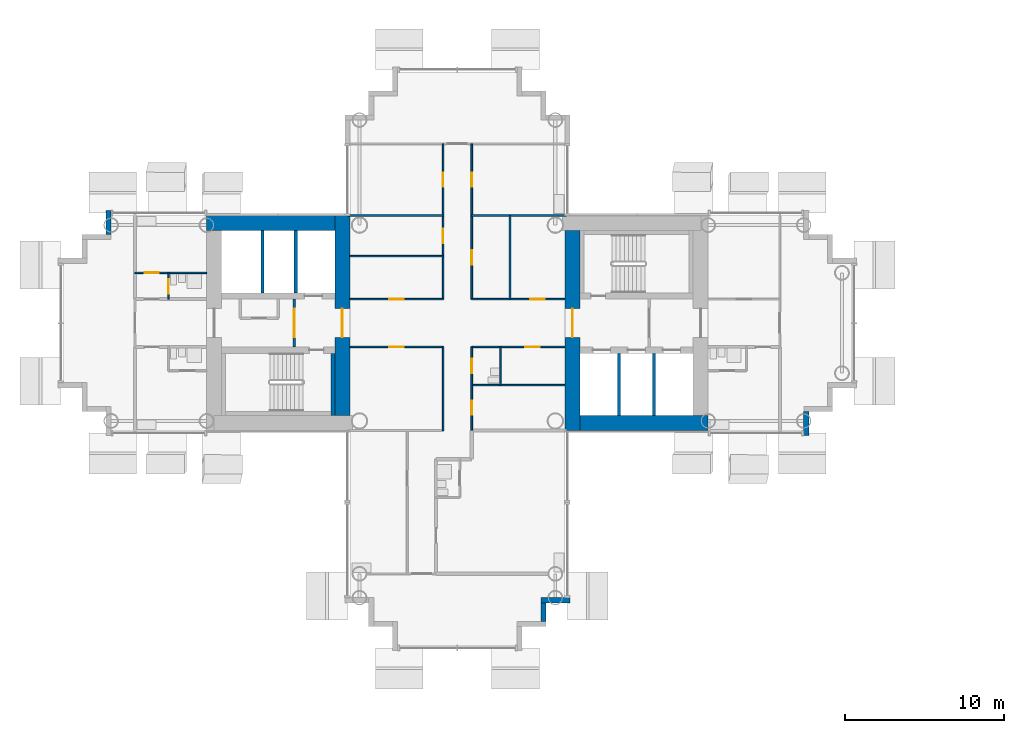
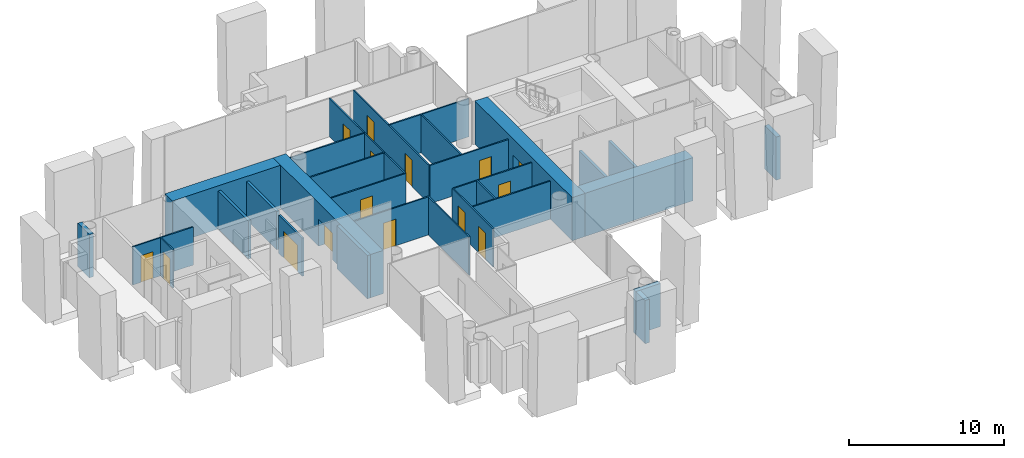
# One storey, part 9 of 20: 30 walls, 15 doors, 15 openings.
"""IFC4 building model written with IfcOpenShell, lengths in metres."""

import ifcopenshell
import ifcopenshell.guid

model = None  # the IFC model being written
_history = None  # IfcOwnerHistory: only IFC2X3 demands one
_inside = {}  # id of a spatial element -> (the spatial element, [elements in it])
_under = {}  # id of a project, library or spatial element -> (it, [spatial elements below it])
_declared = {}  # id of a project -> (the project, [libraries it declares])
_typed = {}  # id of a type object -> (the type object, [elements of that type])
_made_of = {}  # id of a material, layer set ... -> (it, [elements and type objects made of it])


def new_model(schema):
    """Start an empty IFC model of exactly this schema.

    Asked for "IFC4X3", IfcOpenShell would pick the latest addendum, in which some entities
    have other attributes; the version numbers below select the first issue.
    IFC2X3 requires an IfcOwnerHistory on every rooted entity: one is made here for all.
    """
    global model, _history
    if schema == "IFC4X3":
        model = ifcopenshell.file(schema_version=(4, 3, 0, 0))
    else:
        model = ifcopenshell.file(schema=schema)
    _inside.clear()
    _under.clear()
    _declared.clear()
    _typed.clear()
    _made_of.clear()
    _history = None
    if model.schema == "IFC2X3":
        org = make("IfcOrganization", Name="unknown")
        user = make(
            "IfcPersonAndOrganization",
            ThePerson=make("IfcPerson", FamilyName="unknown"),
            TheOrganization=org,
        )
        app = make(
            "IfcApplication",
            ApplicationDeveloper=org,
            Version="unknown",
            ApplicationFullName="unknown",
            ApplicationIdentifier="unknown",
        )
        _history = make(
            "IfcOwnerHistory",
            OwningUser=user,
            OwningApplication=app,
            ChangeAction="ADDED",
            CreationDate=0,
        )
    return model


def make(cls, **values):
    """One entity of the class cls with the attributes given. An attribute that is None is left unset."""
    return model.create_entity(
        cls, **{name: value for name, value in values.items() if value is not None}
    )


def rooted(cls, **values):
    """An entity with a GlobalId (a new one), such as an element, a storey or a relation."""
    return make(cls, GlobalId=ifcopenshell.guid.new(), OwnerHistory=_history, **values)


def si_unit(unit_type, name, prefix=None):
    """IfcSIUnit, for example si_unit("LENGTHUNIT", "METRE", prefix="MILLI")."""
    return make("IfcSIUnit", UnitType=unit_type, Prefix=prefix, Name=name)


def assignment(units):
    """IfcUnitAssignment: the units of a project."""
    return None if units is None else make("IfcUnitAssignment", Units=units)


def point(xyz):
    """IfcCartesianPoint."""
    return None if xyz is None else make("IfcCartesianPoint", Coordinates=xyz)


def direction(xyz):
    """IfcDirection."""
    return None if xyz is None else make("IfcDirection", DirectionRatios=xyz)


def frame(location, z_axis=None, x_axis=None):
    """IfcAxis2Placement3D, a coordinate frame: its origin and axes. An axis left out is left unset."""
    return make(
        "IfcAxis2Placement3D",
        Location=point(location),
        Axis=direction(z_axis),
        RefDirection=direction(x_axis),
    )


def frame_2d(location, x_axis=None):
    """IfcAxis2Placement2D, a coordinate frame in the plane: its origin and x axis."""
    return make(
        "IfcAxis2Placement2D", Location=point(location), RefDirection=direction(x_axis)
    )


def origin():
    """The frame at (0, 0, 0) with its axes left unset."""
    return frame((0.0, 0.0, 0.0))


def place(relative_to, where):
    """IfcLocalPlacement: puts the frame where relative to a parent placement (None: the world)."""
    return make(
        "IfcLocalPlacement", PlacementRelTo=relative_to, RelativePlacement=where
    )


def context(
    kind, dimensions, precision=None, world=None, true_north=None, identifier=None
):
    """IfcGeometricRepresentationContext, for example the 3D "Model" context."""
    return make(
        "IfcGeometricRepresentationContext",
        ContextIdentifier=identifier,
        ContextType=kind,
        CoordinateSpaceDimension=dimensions,
        Precision=precision,
        WorldCoordinateSystem=world,
        TrueNorth=true_north,
    )


def subcontext(parent, identifier, kind, view, scale=None):
    """IfcGeometricRepresentationSubContext, for example "Body" below "Model"."""
    return make(
        "IfcGeometricRepresentationSubContext",
        ContextIdentifier=identifier,
        ContextType=kind,
        ParentContext=parent,
        TargetScale=scale,
        TargetView=view,
    )


def project(units=None, contexts=None):
    """IfcProject with its units and contexts."""
    return rooted(
        "IfcProject",
        Name="project",
        RepresentationContexts=contexts,
        UnitsInContext=assignment(units),
    )


def spatial(cls, under=None, at=None, **own):
    """A site, building, storey or space (cls), placed at a placement, below another one or the project."""
    s = rooted(cls, ObjectPlacement=at, **own)
    if under is not None:
        _under.setdefault(under.id(), (under, []))[1].append(s)
    return s


def profile(cls, at=None, kind="AREA", **sizes):
    """A parametric profile (cls). Its sizes go by their IFC names, for example OverallWidth=200.0."""
    return make(cls, ProfileType=kind, Position=at, **sizes)


def rectangle(**sizes):
    """IfcRectangleProfileDef."""
    return profile("IfcRectangleProfileDef", **sizes)


def extrude(swept, where, along, depth):
    """IfcExtrudedAreaSolid: the profile swept, set in the frame where, extruded along a direction by depth."""
    return make(
        "IfcExtrudedAreaSolid",
        SweptArea=swept,
        Position=where,
        ExtrudedDirection=direction(along),
        Depth=depth,
    )


def shape(context_of_items, identifier, shape_type, items):
    """IfcShapeRepresentation: the items that make up one representation, for example the "Body"."""
    return make(
        "IfcShapeRepresentation",
        ContextOfItems=context_of_items,
        RepresentationIdentifier=identifier,
        RepresentationType=shape_type,
        Items=items,
    )


def material(Name=None, Category=None):
    """IfcMaterial."""
    return make("IfcMaterial", Name=Name, Category=Category)


def layer(
    of_material, thickness, ventilated=None, Name=None, Category=None, Priority=None
):
    """IfcMaterialLayer: one layer of a wall or slab, of a material (None: an air gap)."""
    return make(
        "IfcMaterialLayer",
        Material=of_material,
        LayerThickness=thickness,
        IsVentilated=ventilated,
        Name=Name,
        Category=Category,
        Priority=Priority,
    )


def layer_set(layers, Name=None):
    """IfcMaterialLayerSet."""
    return make("IfcMaterialLayerSet", MaterialLayers=layers, LayerSetName=Name)


def made_of(thing, what):
    """Note that an element or type object is made of a material, layer set ...; save() writes the relation."""
    if what is not None:
        _made_of.setdefault(what.id(), (what, []))[1].append(thing)
    return thing


def type_object(cls, material=None, **own):
    """A type object (cls), such as IfcWallType, which elements share."""
    return made_of(rooted(cls, **own), material)


def element(
    cls,
    number,
    at=None,
    inside=None,
    cuts=None,
    type_object=None,
    material=None,
    context=None,
    identifier="Body",
    shape_type=None,
    held_by="IfcProductDefinitionShape",
    body=None,
    shapes=None,
    **own,
):
    """One element of the class cls, such as IfcWall. Its Tag is "e" and its number.

    at: its placement. inside: the storey or other place that contains it. cuts: it is an
    opening in that element (IfcRelVoidsElement). A single representation is given by context,
    identifier, shape_type and body (its items); several are given by shapes. held_by: the class
    of the entity that holds the representations. save() writes the other relations.
    """
    e = rooted(cls, Tag="e%d" % number, ObjectPlacement=at, **own)
    if body is not None:
        shapes = [shape(context, identifier, shape_type, body)]
    if shapes is not None:
        e.Representation = make(held_by, Representations=shapes)
    if inside is not None:
        _inside.setdefault(inside.id(), (inside, []))[1].append(e)
    if cuts is not None:
        rooted(
            "IfcRelVoidsElement", RelatingBuildingElement=cuts, RelatedOpeningElement=e
        )
    if type_object is not None:
        _typed.setdefault(type_object.id(), (type_object, []))[1].append(e)
    return made_of(e, material)


def fill(opening, filler):
    """IfcRelFillsElement: the door or window that sits in an opening."""
    return rooted(
        "IfcRelFillsElement",
        RelatingOpeningElement=opening,
        RelatedBuildingElement=filler,
    )


def aggregate(whole, parts):
    """IfcRelAggregates: a whole, such as a stair, and the parts it consists of."""
    return rooted("IfcRelAggregates", RelatingObject=whole, RelatedObjects=parts)


def save(model, path):
    """Write the relations noted so far, then the file.

    IfcRelAggregates (storeys below a building ...), IfcRelContainedInSpatialStructure (elements
    in a storey), IfcRelDefinesByType, IfcRelAssociatesMaterial and IfcRelDeclares: one each for
    every whole, place, type object, material and project.
    """
    for whole, parts in _under.values():
        aggregate(whole, parts)
    for where, things in _inside.values():
        rooted(
            "IfcRelContainedInSpatialStructure",
            RelatedElements=things,
            RelatingStructure=where,
        )
    for kind, things in _typed.values():
        rooted("IfcRelDefinesByType", RelatedObjects=things, RelatingType=kind)
    for what, things in _made_of.values():
        rooted("IfcRelAssociatesMaterial", RelatedObjects=things, RelatingMaterial=what)
    for by, libraries in _declared.values():
        rooted("IfcRelDeclares", RelatingContext=by, RelatedDefinitions=libraries)
    model.write(path)


model = new_model("IFC4")

# Units and contexts
model_context = context("Model", 3, precision=1e-05, world=origin(), true_north=direction((0.0, 1.0)))
body_context = subcontext(model_context, "Body", "Model", "MODEL_VIEW")
ifc_project = project(units=[si_unit("LENGTHUNIT", "METRE"), si_unit("AREAUNIT", "SQUARE_METRE"), si_unit("VOLUMEUNIT", "CUBIC_METRE"), si_unit("PLANEANGLEUNIT", "RADIAN"), si_unit("MASSUNIT", "GRAM", prefix="KILO")], contexts=[model_context])

# Site, building, storey
site_placement = place(None, origin())
site = spatial("IfcSite", under=ifc_project, at=site_placement, CompositionType="ELEMENT")
building_placement = place(site_placement, origin())
building = spatial("IfcBuilding", under=site, at=building_placement, Name="Ipe Terrace Towers", CompositionType="ELEMENT")
storey_placement = place(building_placement, frame((0.0, 0.0, 120.800048828125)))
storey = spatial("IfcBuildingStorey", under=building, at=storey_placement, Name="L33", CompositionType="ELEMENT", Elevation=120.800048828125)

# Walls
ifc_material_1 = material(Name="Concrete C40/50 with buff precast cladding", Category="concrete")
ifc_layer_1 = layer(ifc_material_1, 0.320068359375)
ifc_layer_set_1 = layer_set([ifc_layer_1], Name="BUFF CLADDING WALL 320")
wall_type_1 = type_object("IfcWallType", Name="BUFF CLADDING WALL 320", PredefinedType="STANDARD", material=ifc_layer_set_1)
wall_1_placement = place(storey_placement, frame((-30.590087890625, -18.75, -0.300048828125), z_axis=(0.0, 0.0, 1.0), x_axis=(0.0, 1.0, 0.0)))
element("IfcWall", 1, at=wall_1_placement, inside=storey, type_object=wall_type_1, Name="T1-W-L33-15a wall", PredefinedType="STANDARD", context=body_context, shape_type="SweptSolid", body=[
    extrude(rectangle(XDim=1.179931640625, YDim=0.320068359375, at=frame_2d((0.58984375, 0.0))), origin(), (0.0, 0.0, 1.0), 3.39990234375),
])
wall_2_placement = place(storey_placement, frame((-30.75, -17.409912109375, -0.300048828125), z_axis=(0.0, 0.0, 1.0), x_axis=(1.0, 0.0, 0.0)))
element("IfcWall", 2, at=wall_2_placement, inside=storey, type_object=wall_type_1, Name="T1-W-L33-16a wall", PredefinedType="STANDARD", context=body_context, shape_type="SweptSolid", body=[
    extrude(rectangle(XDim=1.820068359375, YDim=0.320068359375, at=frame_2d((0.91015625, 0.0))), origin(), (0.0, 0.0, 1.0), 3.39990234375),
])
for number, where, z_axis, x_axis, name in (
    (3, (-14.090087890625, -7.070068359375, -0.300048828125), (0.0, 0.0, 1.0), (0.0, 1.0, 0.0), "T1-W-L33-21a wall"),
    (4, (-57.909912109375, 7.070068359375, -0.300048828125), (0.0, 0.0, 1.0), (0.0, -1.0, 0.0), "T1-W-L33-47a wall"),
):
    element("IfcWall", number, at=place(storey_placement, frame(where, z_axis=z_axis, x_axis=x_axis)), inside=storey, type_object=wall_type_1, Name=name, PredefinedType="STANDARD", context=body_context, shape_type="SweptSolid", body=[
        extrude(rectangle(XDim=1.5, YDim=0.320068359375, at=frame_2d((0.75, 0.0))), origin(), (0.0, 0.0, 1.0), 3.39990234375),
    ])

# Wall, opening, door
ifc_material_2 = material(Name="Gypsum board partition", Category="plasterboard")
ifc_layer_2 = layer(ifc_material_2, 0.10009765625)
ifc_layer_set_2 = layer_set([ifc_layer_2], Name="Gypsum board partition 100 mm")
wall_type_2 = type_object("IfcWallType", Name="Gypsum board partition 100 mm", PredefinedType="PARTITIONING", material=ifc_layer_set_2)
wall_3_placement = place(storey_placement, frame((-54.14990234375, 1.5, 0.0), z_axis=(0.0, 0.0, 1.0), x_axis=(0.0, 1.0, 0.0)))
wall_3 = element("IfcWall", 5, at=wall_3_placement, inside=storey, type_object=wall_type_2, Name="Gypsum board partition T1 L33 W05", PredefinedType="PARTITIONING", context=body_context, shape_type="SweptSolid", body=[
    extrude(rectangle(XDim=1.64990234375, YDim=0.10009765625, at=frame_2d((0.824951171875, 0.0))), origin(), (0.0, 0.0, 1.0), 3.0),
])
opening_1_placement = place(wall_3_placement, frame((0.35009765625, 0.0, 0.0)))
opening_1 = element("IfcOpeningElement", 6, at=opening_1_placement, cuts=wall_3, Name="Opening T1-Z2D-24", PredefinedType="OPENING", context=body_context, shape_type="SweptSolid", body=[
    extrude(rectangle(XDim=0.89990234375, YDim=2.10009765625, at=frame_2d((0.449951171875, 1.050048828125))), frame((0.0, 0.06005859375, 0.0), z_axis=(0.0, -1.0, 0.0), x_axis=(1.0, 0.0, 0.0)), (0.0, 0.0, 1.0), 0.1201171875),
])
ifc_material_3 = material(Name="Timber door leaf", Category="wood")
door_type_1 = type_object("IfcDoorType", Name="Bathroom door 900 x 2100", OperationType="NOTDEFINED", PredefinedType="DOOR", material=ifc_material_3)
door_1_placement = place(opening_1_placement, origin())
door_1 = element("IfcDoor", 7, at=door_1_placement, inside=storey, type_object=door_type_1, Name="Bathroom door T1-Z2D-24", OperationType="SINGLE_SWING_LEFT", OverallHeight=2.10009765625, OverallWidth=0.89990234375, PredefinedType="DOOR", context=body_context, shape_type="SweptSolid", body=[
    extrude(rectangle(XDim=0.89990234375, YDim=2.10009765625, at=frame_2d((0.449951171875, 1.050048828125))), frame((0.0, 0.02490234375, 0.0), z_axis=(0.0, -1.0, 0.0), x_axis=(1.0, 0.0, 0.0)), (0.0, 0.0, 1.0), 0.050048828125),
])
fill(opening_1, door_1)

# Wall
wall_4_placement = place(storey_placement, frame((-36.89990234375, -6.75, 0.0), z_axis=(0.0, 0.0, 1.0), x_axis=(0.0, 1.0, 0.0)))
element("IfcWall", 8, at=wall_4_placement, inside=storey, type_object=wall_type_2, Name="Gypsum board partition T1 L33 W08", PredefinedType="PARTITIONING", context=body_context, shape_type="SweptSolid", body=[
    extrude(rectangle(XDim=5.25, YDim=0.10009765625, at=frame_2d((2.625, 0.0))), origin(), (0.0, 0.0, 1.0), 3.0),
])

# Wall, openings, doors
wall_5_placement = place(storey_placement, frame((-36.89990234375, 1.5, 0.0), z_axis=(0.0, 0.0, 1.0), x_axis=(0.0, 1.0, 0.0)))
wall_5 = element("IfcWall", 9, at=wall_5_placement, inside=storey, type_object=wall_type_2, Name="Gypsum board partition T1 L33 W09", PredefinedType="PARTITIONING", context=body_context, shape_type="SweptSolid", body=[
    extrude(rectangle(XDim=9.75, YDim=0.10009765625, at=frame_2d((4.875, 0.0))), origin(), (0.0, 0.0, 1.0), 3.0),
])
opening_2_placement = place(wall_5_placement, frame((3.52490234375, 0.0, 0.0)))
opening_2 = element("IfcOpeningElement", 10, at=opening_2_placement, cuts=wall_5, Name="Opening T1-Z2D-05", PredefinedType="OPENING", context=body_context, shape_type="SweptSolid", body=[
    extrude(rectangle(XDim=0.89990234375, YDim=2.10009765625, at=frame_2d((0.449951171875, 1.050048828125))), frame((0.0, 0.06005859375, 0.0), z_axis=(0.0, -1.0, 0.0), x_axis=(1.0, 0.0, 0.0)), (0.0, 0.0, 1.0), 0.1201171875),
])
opening_3_placement = place(wall_5_placement, frame((7.050048828125, 0.0, 0.0)))
opening_3 = element("IfcOpeningElement", 11, at=opening_3_placement, cuts=wall_5, Name="Opening T1-Z2D-09", PredefinedType="OPENING", context=body_context, shape_type="SweptSolid", body=[
    extrude(rectangle(XDim=0.89990234375, YDim=2.10009765625, at=frame_2d((0.449951171875, 1.050048828125))), frame((0.0, 0.06005859375, 0.0), z_axis=(0.0, -1.0, 0.0), x_axis=(1.0, 0.0, 0.0)), (0.0, 0.0, 1.0), 0.1201171875),
])
ifc_material_4 = material(Name="Timber door leaf", Category="wood")
door_type_2 = type_object("IfcDoorType", Name="Lounge door 900 x 2100", OperationType="NOTDEFINED", PredefinedType="DOOR", material=ifc_material_4)
door_2_placement = place(opening_2_placement, origin())
door_2 = element("IfcDoor", 12, at=door_2_placement, inside=storey, type_object=door_type_2, Name="Lounge door T1-Z2D-05", OperationType="SINGLE_SWING_RIGHT", OverallHeight=2.10009765625, OverallWidth=0.89990234375, PredefinedType="DOOR", context=body_context, shape_type="SweptSolid", body=[
    extrude(rectangle(XDim=0.89990234375, YDim=2.10009765625, at=frame_2d((0.449951171875, 1.050048828125))), frame((0.0, 0.02490234375, 0.0), z_axis=(0.0, -1.0, 0.0), x_axis=(1.0, 0.0, 0.0)), (0.0, 0.0, 1.0), 0.050048828125),
])
fill(opening_2, door_2)
door_3_placement = place(opening_3_placement, origin())
door_3 = element("IfcDoor", 13, at=door_3_placement, inside=storey, type_object=door_type_2, Name="Lounge door T1-Z2D-09", OperationType="SINGLE_SWING_LEFT", OverallHeight=2.10009765625, OverallWidth=0.89990234375, PredefinedType="DOOR", context=body_context, shape_type="SweptSolid", body=[
    extrude(rectangle(XDim=0.89990234375, YDim=2.10009765625, at=frame_2d((0.449951171875, 1.050048828125))), frame((0.0, 0.02490234375, 0.0), z_axis=(0.0, -1.0, 0.0), x_axis=(1.0, 0.0, 0.0)), (0.0, 0.0, 1.0), 0.050048828125),
])
fill(opening_3, door_3)

wall_6_placement = place(storey_placement, frame((-35.10009765625, -6.75, 0.0), z_axis=(0.0, 0.0, 1.0), x_axis=(0.0, 1.0, 0.0)))
wall_6 = element("IfcWall", 14, at=wall_6_placement, inside=storey, type_object=wall_type_2, Name="Gypsum board partition T1 L33 W11", PredefinedType="PARTITIONING", context=body_context, shape_type="SweptSolid", body=[
    extrude(rectangle(XDim=5.25, YDim=0.10009765625, at=frame_2d((2.625, 0.0))), origin(), (0.0, 0.0, 1.0), 3.0),
])
opening_4_placement = place(wall_6_placement, frame((3.60009765625, 0.0, 0.0)))
opening_4 = element("IfcOpeningElement", 15, at=opening_4_placement, cuts=wall_6, Name="Opening T1-Z2D-01", PredefinedType="OPENING", context=body_context, shape_type="SweptSolid", body=[
    extrude(rectangle(XDim=0.89990234375, YDim=2.10009765625, at=frame_2d((0.449951171875, 1.050048828125))), frame((0.0, 0.06005859375, 0.0), z_axis=(0.0, -1.0, 0.0), x_axis=(1.0, 0.0, 0.0)), (0.0, 0.0, 1.0), 0.1201171875),
])
opening_5_placement = place(wall_6_placement, frame((0.97509765625, 0.0, 0.0)))
opening_5 = element("IfcOpeningElement", 16, at=opening_5_placement, cuts=wall_6, Name="Opening T1-Z2D-08", PredefinedType="OPENING", context=body_context, shape_type="SweptSolid", body=[
    extrude(rectangle(XDim=0.89990234375, YDim=2.10009765625, at=frame_2d((0.449951171875, 1.050048828125))), frame((0.0, 0.06005859375, 0.0), z_axis=(0.0, -1.0, 0.0), x_axis=(1.0, 0.0, 0.0)), (0.0, 0.0, 1.0), 0.1201171875),
])
door_4_placement = place(opening_4_placement, origin())
door_4 = element("IfcDoor", 17, at=door_4_placement, inside=storey, type_object=door_type_1, Name="Bathroom door T1-Z2D-01", OperationType="SINGLE_SWING_RIGHT", OverallHeight=2.10009765625, OverallWidth=0.89990234375, PredefinedType="DOOR", context=body_context, shape_type="SweptSolid", body=[
    extrude(rectangle(XDim=0.89990234375, YDim=2.10009765625, at=frame_2d((0.449951171875, 1.050048828125))), frame((0.0, 0.02490234375, 0.0), z_axis=(0.0, -1.0, 0.0), x_axis=(1.0, 0.0, 0.0)), (0.0, 0.0, 1.0), 0.050048828125),
])
fill(opening_4, door_4)
door_5_placement = place(opening_5_placement, origin())
door_5 = element("IfcDoor", 18, at=door_5_placement, inside=storey, type_object=door_type_2, Name="Lounge door T1-Z2D-08", OperationType="SINGLE_SWING_LEFT", OverallHeight=2.10009765625, OverallWidth=0.89990234375, PredefinedType="DOOR", context=body_context, shape_type="SweptSolid", body=[
    extrude(rectangle(XDim=0.89990234375, YDim=2.10009765625, at=frame_2d((0.449951171875, 1.050048828125))), frame((0.0, 0.02490234375, 0.0), z_axis=(0.0, -1.0, 0.0), x_axis=(1.0, 0.0, 0.0)), (0.0, 0.0, 1.0), 0.050048828125),
])
fill(opening_5, door_5)

wall_7_placement = place(storey_placement, frame((-35.10009765625, 1.5, 0.0), z_axis=(0.0, 0.0, 1.0), x_axis=(0.0, 1.0, 0.0)))
wall_7 = element("IfcWall", 19, at=wall_7_placement, inside=storey, type_object=wall_type_2, Name="Gypsum board partition T1 L33 W12", PredefinedType="PARTITIONING", context=body_context, shape_type="SweptSolid", body=[
    extrude(rectangle(XDim=9.75, YDim=0.10009765625, at=frame_2d((4.875, 0.0))), origin(), (0.0, 0.0, 1.0), 3.0),
])
opening_6_placement = place(wall_7_placement, frame((2.175048828125, 0.0, 0.0)))
opening_6 = element("IfcOpeningElement", 20, at=opening_6_placement, cuts=wall_7, Name="Opening T1-Z2D-02", PredefinedType="OPENING", context=body_context, shape_type="SweptSolid", body=[
    extrude(rectangle(XDim=0.89990234375, YDim=2.10009765625, at=frame_2d((0.449951171875, 1.050048828125))), frame((0.0, 0.06005859375, 0.0), z_axis=(0.0, -1.0, 0.0), x_axis=(1.0, 0.0, 0.0)), (0.0, 0.0, 1.0), 0.1201171875),
])
opening_7_placement = place(wall_7_placement, frame((7.050048828125, 0.0, 0.0)))
opening_7 = element("IfcOpeningElement", 21, at=opening_7_placement, cuts=wall_7, Name="Opening T1-Z2D-10", PredefinedType="OPENING", context=body_context, shape_type="SweptSolid", body=[
    extrude(rectangle(XDim=0.89990234375, YDim=2.10009765625, at=frame_2d((0.449951171875, 1.050048828125))), frame((0.0, 0.06005859375, 0.0), z_axis=(0.0, -1.0, 0.0), x_axis=(1.0, 0.0, 0.0)), (0.0, 0.0, 1.0), 0.1201171875),
])
door_6_placement = place(opening_6_placement, origin())
door_6 = element("IfcDoor", 22, at=door_6_placement, inside=storey, type_object=door_type_2, Name="Lounge door T1-Z2D-02", OperationType="SINGLE_SWING_LEFT", OverallHeight=2.10009765625, OverallWidth=0.89990234375, PredefinedType="DOOR", context=body_context, shape_type="SweptSolid", body=[
    extrude(rectangle(XDim=0.89990234375, YDim=2.10009765625, at=frame_2d((0.449951171875, 1.050048828125))), frame((0.0, 0.02490234375, 0.0), z_axis=(0.0, -1.0, 0.0), x_axis=(1.0, 0.0, 0.0)), (0.0, 0.0, 1.0), 0.050048828125),
])
fill(opening_6, door_6)
door_7_placement = place(opening_7_placement, origin())
door_7 = element("IfcDoor", 23, at=door_7_placement, inside=storey, type_object=door_type_2, Name="Lounge door T1-Z2D-10", OperationType="SINGLE_SWING_RIGHT", OverallHeight=2.10009765625, OverallWidth=0.89990234375, PredefinedType="DOOR", context=body_context, shape_type="SweptSolid", body=[
    extrude(rectangle(XDim=0.89990234375, YDim=2.10009765625, at=frame_2d((0.449951171875, 1.050048828125))), frame((0.0, 0.02490234375, 0.0), z_axis=(0.0, -1.0, 0.0), x_axis=(1.0, 0.0, 0.0)), (0.0, 0.0, 1.0), 0.050048828125),
])
fill(opening_7, door_7)

# Walls
wall_8_placement = place(storey_placement, frame((-33.300048828125, -3.89990234375, 0.0), z_axis=(0.0, 0.0, 1.0), x_axis=(0.0, 1.0, 0.0)))
element("IfcWall", 24, at=wall_8_placement, inside=storey, type_object=wall_type_2, Name="Gypsum board partition T1 L33 W14", PredefinedType="PARTITIONING", context=body_context, shape_type="SweptSolid", body=[
    extrude(rectangle(XDim=2.39990234375, YDim=0.10009765625, at=frame_2d((1.199951171875, 0.0))), origin(), (0.0, 0.0, 1.0), 3.0),
])
wall_9_placement = place(storey_placement, frame((-32.699951171875, 1.5, 0.0), z_axis=(0.0, 0.0, 1.0), x_axis=(0.0, 1.0, 0.0)))
element("IfcWall", 25, at=wall_9_placement, inside=storey, type_object=wall_type_2, Name="Gypsum board partition T1 L33 W15", PredefinedType="PARTITIONING", context=body_context, shape_type="SweptSolid", body=[
    extrude(rectangle(XDim=5.25, YDim=0.10009765625, at=frame_2d((2.625, 0.0))), origin(), (0.0, 0.0, 1.0), 3.0),
])
wall_10_placement = place(storey_placement, frame((-35.10009765625, -3.89990234375, 0.0), z_axis=(0.0, 0.0, 1.0), x_axis=(1.0, 0.0, 0.0)))
element("IfcWall", 26, at=wall_10_placement, inside=storey, type_object=wall_type_2, Name="Gypsum board partition T1 L33 W25", PredefinedType="PARTITIONING", context=body_context, shape_type="SweptSolid", body=[
    extrude(rectangle(XDim=5.85009765625, YDim=0.10009765625, at=frame_2d((2.925048828125, 0.0))), origin(), (0.0, 0.0, 1.0), 3.0),
])

# Wall, opening, door
wall_11_placement = place(storey_placement, frame((-42.75, -1.5, 0.0), z_axis=(0.0, 0.0, 1.0), x_axis=(1.0, 0.0, 0.0)))
wall_11 = element("IfcWall", 27, at=wall_11_placement, inside=storey, type_object=wall_type_2, Name="Gypsum board partition T1 L33 W28", PredefinedType="PARTITIONING", context=body_context, shape_type="SweptSolid", body=[
    extrude(rectangle(XDim=5.85009765625, YDim=0.10009765625, at=frame_2d((2.925048828125, 0.0))), origin(), (0.0, 0.0, 1.0), 3.0),
])
opening_8_placement = place(wall_11_placement, frame((2.47509765625, 0.0, 0.0)))
opening_8 = element("IfcOpeningElement", 28, at=opening_8_placement, cuts=wall_11, Name="Opening T1-Z2D-06", PredefinedType="OPENING", context=body_context, shape_type="SweptSolid", body=[
    extrude(rectangle(XDim=0.89990234375, YDim=2.10009765625, at=frame_2d((0.449951171875, 1.050048828125))), frame((0.0, 0.06005859375, 0.0), z_axis=(0.0, -1.0, 0.0), x_axis=(1.0, 0.0, 0.0)), (0.0, 0.0, 1.0), 0.1201171875),
])
door_8_placement = place(opening_8_placement, origin())
door_8 = element("IfcDoor", 29, at=door_8_placement, inside=storey, type_object=door_type_2, Name="Lounge door T1-Z2D-06", OperationType="SINGLE_SWING_LEFT", OverallHeight=2.10009765625, OverallWidth=0.89990234375, PredefinedType="DOOR", context=body_context, shape_type="SweptSolid", body=[
    extrude(rectangle(XDim=0.89990234375, YDim=2.10009765625, at=frame_2d((0.449951171875, 1.050048828125))), frame((0.0, 0.02490234375, 0.0), z_axis=(0.0, -1.0, 0.0), x_axis=(1.0, 0.0, 0.0)), (0.0, 0.0, 1.0), 0.050048828125),
])
fill(opening_8, door_8)

wall_12_placement = place(storey_placement, frame((-35.10009765625, -1.5, 0.0), z_axis=(0.0, 0.0, 1.0), x_axis=(1.0, 0.0, 0.0)))
wall_12 = element("IfcWall", 30, at=wall_12_placement, inside=storey, type_object=wall_type_2, Name="Gypsum board partition T1 L33 W29", PredefinedType="PARTITIONING", context=body_context, shape_type="SweptSolid", body=[
    extrude(rectangle(XDim=5.85009765625, YDim=0.10009765625, at=frame_2d((2.925048828125, 0.0))), origin(), (0.0, 0.0, 1.0), 3.0),
])
opening_9_placement = place(wall_12_placement, frame((3.375, 0.0, 0.0)))
opening_9 = element("IfcOpeningElement", 31, at=opening_9_placement, cuts=wall_12, Name="Opening T1-Z2D-07", PredefinedType="OPENING", context=body_context, shape_type="SweptSolid", body=[
    extrude(rectangle(XDim=0.89990234375, YDim=2.10009765625, at=frame_2d((0.449951171875, 1.050048828125))), frame((0.0, 0.06005859375, 0.0), z_axis=(0.0, -1.0, 0.0), x_axis=(1.0, 0.0, 0.0)), (0.0, 0.0, 1.0), 0.1201171875),
])
door_9_placement = place(opening_9_placement, origin())
door_9 = element("IfcDoor", 32, at=door_9_placement, inside=storey, type_object=door_type_2, Name="Lounge door T1-Z2D-07", OperationType="SINGLE_SWING_RIGHT", OverallHeight=2.10009765625, OverallWidth=0.89990234375, PredefinedType="DOOR", context=body_context, shape_type="SweptSolid", body=[
    extrude(rectangle(XDim=0.89990234375, YDim=2.10009765625, at=frame_2d((0.449951171875, 1.050048828125))), frame((0.0, 0.02490234375, 0.0), z_axis=(0.0, -1.0, 0.0), x_axis=(1.0, 0.0, 0.0)), (0.0, 0.0, 1.0), 0.050048828125),
])
fill(opening_9, door_9)

wall_13_placement = place(storey_placement, frame((-42.75, 1.5, 0.0), z_axis=(0.0, 0.0, 1.0), x_axis=(1.0, 0.0, 0.0)))
wall_13 = element("IfcWall", 33, at=wall_13_placement, inside=storey, type_object=wall_type_2, Name="Gypsum board partition T1 L33 W32", PredefinedType="PARTITIONING", context=body_context, shape_type="SweptSolid", body=[
    extrude(rectangle(XDim=5.85009765625, YDim=0.10009765625, at=frame_2d((2.925048828125, 0.0))), origin(), (0.0, 0.0, 1.0), 3.0),
])
opening_10_placement = place(wall_13_placement, frame((2.47509765625, 0.0, 0.0)))
opening_10 = element("IfcOpeningElement", 34, at=opening_10_placement, cuts=wall_13, Name="Opening T1-Z2D-04", PredefinedType="OPENING", context=body_context, shape_type="SweptSolid", body=[
    extrude(rectangle(XDim=0.89990234375, YDim=2.10009765625, at=frame_2d((0.449951171875, 1.050048828125))), frame((0.0, 0.06005859375, 0.0), z_axis=(0.0, -1.0, 0.0), x_axis=(1.0, 0.0, 0.0)), (0.0, 0.0, 1.0), 0.1201171875),
])
door_10_placement = place(opening_10_placement, origin())
door_10 = element("IfcDoor", 35, at=door_10_placement, inside=storey, type_object=door_type_2, Name="Lounge door T1-Z2D-04", OperationType="SINGLE_SWING_RIGHT", OverallHeight=2.10009765625, OverallWidth=0.89990234375, PredefinedType="DOOR", context=body_context, shape_type="SweptSolid", body=[
    extrude(rectangle(XDim=0.89990234375, YDim=2.10009765625, at=frame_2d((0.449951171875, 1.050048828125))), frame((0.0, 0.02490234375, 0.0), z_axis=(0.0, -1.0, 0.0), x_axis=(1.0, 0.0, 0.0)), (0.0, 0.0, 1.0), 0.050048828125),
])
fill(opening_10, door_10)

wall_14_placement = place(storey_placement, frame((-35.10009765625, 1.5, 0.0), z_axis=(0.0, 0.0, 1.0), x_axis=(1.0, 0.0, 0.0)))
wall_14 = element("IfcWall", 36, at=wall_14_placement, inside=storey, type_object=wall_type_2, Name="Gypsum board partition T1 L33 W33", PredefinedType="PARTITIONING", context=body_context, shape_type="SweptSolid", body=[
    extrude(rectangle(XDim=5.85009765625, YDim=0.10009765625, at=frame_2d((2.925048828125, 0.0))), origin(), (0.0, 0.0, 1.0), 3.0),
])
opening_11_placement = place(wall_14_placement, frame((3.675048828125, 0.0, 0.0)))
opening_11 = element("IfcOpeningElement", 37, at=opening_11_placement, cuts=wall_14, Name="Opening T1-Z2D-03", PredefinedType="OPENING", context=body_context, shape_type="SweptSolid", body=[
    extrude(rectangle(XDim=0.89990234375, YDim=2.10009765625, at=frame_2d((0.449951171875, 1.050048828125))), frame((0.0, 0.06005859375, 0.0), z_axis=(0.0, -1.0, 0.0), x_axis=(1.0, 0.0, 0.0)), (0.0, 0.0, 1.0), 0.1201171875),
])
door_11_placement = place(opening_11_placement, origin())
door_11 = element("IfcDoor", 38, at=door_11_placement, inside=storey, type_object=door_type_2, Name="Lounge door T1-Z2D-03", OperationType="SINGLE_SWING_LEFT", OverallHeight=2.10009765625, OverallWidth=0.89990234375, PredefinedType="DOOR", context=body_context, shape_type="SweptSolid", body=[
    extrude(rectangle(XDim=0.89990234375, YDim=2.10009765625, at=frame_2d((0.449951171875, 1.050048828125))), frame((0.0, 0.02490234375, 0.0), z_axis=(0.0, -1.0, 0.0), x_axis=(1.0, 0.0, 0.0)), (0.0, 0.0, 1.0), 0.050048828125),
])
fill(opening_11, door_11)

wall_15_placement = place(storey_placement, frame((-56.25, 3.14990234375, 0.0), z_axis=(0.0, 0.0, 1.0), x_axis=(1.0, 0.0, 0.0)))
wall_15 = element("IfcWall", 39, at=wall_15_placement, inside=storey, type_object=wall_type_2, Name="Gypsum board partition T1 L33 W36", PredefinedType="PARTITIONING", context=body_context, shape_type="SweptSolid", body=[
    extrude(rectangle(XDim=4.5, YDim=0.10009765625, at=frame_2d((2.25, 0.0))), origin(), (0.0, 0.0, 1.0), 3.0),
])
opening_12_placement = place(wall_15_placement, frame((0.60009765625, 0.0, 0.0)))
opening_12 = element("IfcOpeningElement", 40, at=opening_12_placement, cuts=wall_15, Name="Opening T1-Z2D-23", PredefinedType="OPENING", context=body_context, shape_type="SweptSolid", body=[
    extrude(rectangle(XDim=0.89990234375, YDim=2.10009765625, at=frame_2d((0.449951171875, 1.050048828125))), frame((0.0, 0.06005859375, 0.0), z_axis=(0.0, -1.0, 0.0), x_axis=(1.0, 0.0, 0.0)), (0.0, 0.0, 1.0), 0.1201171875),
])
ifc_material_5 = material(Name="Timber door leaf", Category="wood")
door_type_3 = type_object("IfcDoorType", Name="Bedroom door 900 x 2100", OperationType="NOTDEFINED", PredefinedType="DOOR", material=ifc_material_5)
door_12_placement = place(opening_12_placement, origin())
door_12 = element("IfcDoor", 41, at=door_12_placement, inside=storey, type_object=door_type_3, Name="Bedroom door T1-Z2D-23", OperationType="SINGLE_SWING_RIGHT", OverallHeight=2.10009765625, OverallWidth=0.89990234375, PredefinedType="DOOR", context=body_context, shape_type="SweptSolid", body=[
    extrude(rectangle(XDim=0.89990234375, YDim=2.10009765625, at=frame_2d((0.449951171875, 1.050048828125))), frame((0.0, 0.02490234375, 0.0), z_axis=(0.0, -1.0, 0.0), x_axis=(1.0, 0.0, 0.0)), (0.0, 0.0, 1.0), 0.050048828125),
])
fill(opening_12, door_12)

# Walls
wall_16_placement = place(storey_placement, frame((-42.75, 4.199951171875, 0.0), z_axis=(0.0, 0.0, 1.0), x_axis=(1.0, 0.0, 0.0)))
element("IfcWall", 42, at=wall_16_placement, inside=storey, type_object=wall_type_2, Name="Gypsum board partition T1 L33 W37", PredefinedType="PARTITIONING", context=body_context, shape_type="SweptSolid", body=[
    extrude(rectangle(XDim=5.85009765625, YDim=0.10009765625, at=frame_2d((2.925048828125, 0.0))), origin(), (0.0, 0.0, 1.0), 3.0),
])
for number, where, z_axis, x_axis, name in (
    (43, (-42.85009765625, 6.75, 0.0), (0.0, 0.0, 1.0), (1.0, 0.0, 0.0), "Gypsum board partition T1 L33 W38"),
    (44, (-35.10009765625, 6.75, 0.0), (0.0, 0.0, 1.0), (1.0, 0.0, 0.0), "Gypsum board partition T1 L33 W39"),
):
    element("IfcWall", number, at=place(storey_placement, frame(where, z_axis=z_axis, x_axis=x_axis)), inside=storey, type_object=wall_type_2, Name=name, PredefinedType="PARTITIONING", context=body_context, shape_type="SweptSolid", body=[
        extrude(rectangle(XDim=5.9501953125, YDim=0.10009765625, at=frame_2d((2.97509765625, 0.0))), origin(), (0.0, 0.0, 1.0), 3.0),
    ])

# Wall, opening, door
ifc_material_6 = material(Name="Gypsum board partition", Category="plasterboard")
ifc_layer_3 = layer(ifc_material_6, 0.14990234375)
ifc_layer_set_3 = layer_set([ifc_layer_3], Name="Gypsum board partition 150 mm")
wall_type_3 = type_object("IfcWallType", Name="Gypsum board partition 150 mm", PredefinedType="PARTITIONING", material=ifc_layer_set_3)
wall_17_placement = place(storey_placement, frame((-46.25, 1.5, 0.0), z_axis=(0.0, 0.0, 1.0), x_axis=(0.0, -1.0, 0.0)))
wall_17 = element("IfcWall", 45, at=wall_17_placement, inside=storey, type_object=wall_type_3, Name="Gypsum board partition T1 L33 t1c2-lobby-wall", PredefinedType="PARTITIONING", context=body_context, shape_type="SweptSolid", body=[
    extrude(rectangle(XDim=3.0, YDim=0.14990234375, at=frame_2d((1.5, 0.0))), origin(), (0.0, 0.0, 1.0), 3.0),
])
opening_13_placement = place(wall_17_placement, frame((0.60009765625, 0.0, 0.0)))
opening_13 = element("IfcOpeningElement", 46, at=opening_13_placement, cuts=wall_17, Name="Opening T1C2-VD", PredefinedType="OPENING", context=body_context, shape_type="SweptSolid", body=[
    extrude(rectangle(XDim=1.800048828125, YDim=2.10009765625, at=frame_2d((0.89990234375, 1.050048828125))), frame((0.0, 0.0849609375, 0.0), z_axis=(0.0, -1.0, 0.0), x_axis=(1.0, 0.0, 0.0)), (0.0, 0.0, 1.0), 0.169921875),
])
ifc_material_7 = material(Name="Fire-rated timber door leaf", Category="wood")
door_type_4 = type_object("IfcDoorType", Name="Lobby door 1800 x 2100 FD60", OperationType="NOTDEFINED", PredefinedType="DOOR", material=ifc_material_7)
door_13_placement = place(opening_13_placement, origin())
door_13 = element("IfcDoor", 47, at=door_13_placement, inside=storey, type_object=door_type_4, Name="Lobby door T1C2-VD", OperationType="SINGLE_SWING_LEFT", OverallHeight=2.10009765625, OverallWidth=1.800048828125, PredefinedType="DOOR", context=body_context, shape_type="SweptSolid", body=[
    extrude(rectangle(XDim=1.800048828125, YDim=2.10009765625, at=frame_2d((0.89990234375, 1.050048828125))), frame((0.0, 0.02490234375, 0.0), z_axis=(0.0, -1.0, 0.0), x_axis=(1.0, 0.0, 0.0)), (0.0, 0.0, 1.0), 0.050048828125),
])
fill(opening_13, door_13)

# Walls
ifc_material_8 = material(Name="Gypsum board party wall", Category="plasterboard")
ifc_layer_4 = layer(ifc_material_8, 0.199951171875)
ifc_layer_set_4 = layer_set([ifc_layer_4], Name="Gypsum board party wall 200 mm")
wall_type_4 = type_object("IfcWallType", Name="Gypsum board party wall 200 mm", PredefinedType="SOLIDWALL", material=ifc_layer_set_4)
for number, where, z_axis, x_axis, name in (
    (48, (-25.85009765625, -5.800048828125, 0.0), (0.0, 0.0, 1.0), (0.0, 1.0, 0.0), "Gypsum board party wall T1 L33 t1c1-shaft-div1"),
    (49, (-23.64990234375, -5.800048828125, 0.0), (0.0, 0.0, 1.0), (0.0, 1.0, 0.0), "Gypsum board party wall T1 L33 t1c1-shaft-div2"),
    (50, (-46.14990234375, 5.800048828125, 0.0), (0.0, 0.0, 1.0), (0.0, -1.0, 0.0), "Gypsum board party wall T1 L33 t1c2-shaft-div1"),
    (51, (-48.25, 5.800048828125, 0.0), (0.0, 0.0, 1.0), (0.0, -1.0, 0.0), "Gypsum board party wall T1 L33 t1c2-shaft-div2"),
):
    element("IfcWall", number, at=place(storey_placement, frame(where, z_axis=z_axis, x_axis=x_axis)), inside=storey, type_object=wall_type_4, Name=name, PredefinedType="SOLIDWALL", context=body_context, shape_type="SweptSolid", body=[
        extrude(rectangle(XDim=3.900146484375, YDim=0.199951171875, at=frame_2d((1.9501953125, 0.0))), origin(), (0.0, 0.0, 1.0), 3.0),
    ])
ifc_material_9 = material(Name="Concrete C50/60", Category="concrete")
ifc_layer_5 = layer(ifc_material_9, 0.25)
ifc_layer_set_5 = layer_set([ifc_layer_5], Name="RW250 CORE INFILL WALL 250 C50-60")
wall_type_5 = type_object("IfcWallType", Name="RW250 CORE INFILL WALL 250 C50-60", PredefinedType="SHEAR", material=ifc_layer_set_5)
wall_18_placement = place(storey_placement, frame((-43.824951171875, -1.89990234375, 0.0), z_axis=(0.0, 0.0, 1.0), x_axis=(0.0, -1.0, 0.0)))
element("IfcWall", 52, at=wall_18_placement, inside=storey, type_object=wall_type_5, Name="Core infill wall T1-C2-near", PredefinedType="SHEAR", context=body_context, shape_type="SweptSolid", body=[
    extrude(rectangle(XDim=3.900146484375, YDim=0.25, at=frame_2d((1.9501953125, 0.0))), origin(), (0.0, 0.0, 1.0), 3.39990234375),
])
ifc_material_10 = material(Name="Concrete C50/60", Category="concrete")
ifc_layer_6 = layer(ifc_material_10, 0.949951171875)
ifc_layer_set_6 = layer_set([ifc_layer_6], Name="RW950 CORE WALL 950 C50-60")
wall_type_6 = type_object("IfcWallType", Name="RW950 CORE WALL 950 C50-60", PredefinedType="SHEAR", material=ifc_layer_set_6)
wall_19_placement = place(storey_placement, frame((-28.300048828125, -6.27490234375, 0.0), z_axis=(0.0, 0.0, 1.0), x_axis=(1.0, 0.0, 0.0)))
element("IfcWall", 53, at=wall_19_placement, inside=storey, type_object=wall_type_6, Name="Core wall T1-C1-Z2-W01", PredefinedType="SHEAR", context=body_context, shape_type="SweptSolid", body=[
    extrude(rectangle(XDim=8.050048828125, YDim=0.949951171875, at=frame_2d((4.02490234375, 0.0))), origin(), (0.0, 0.0, 1.0), 3.39990234375),
])

# Wall, opening, door
wall_20_placement = place(storey_placement, frame((-28.77490234375, 5.800048828125, 0.0), z_axis=(0.0, 0.0, 1.0), x_axis=(0.0, -1.0, 0.0)))
wall_20 = element("IfcWall", 54, at=wall_20_placement, inside=storey, type_object=wall_type_6, Name="Core wall T1-C1-Z2-W04", PredefinedType="SHEAR", context=body_context, shape_type="SweptSolid", body=[
    extrude(rectangle(XDim=12.550048828125, YDim=0.949951171875, at=frame_2d((6.27490234375, 0.0))), origin(), (0.0, 0.0, 1.0), 3.39990234375),
])
opening_14_placement = place(wall_20_placement, frame((4.89990234375, 0.0, 0.0)))
opening_14 = element("IfcOpeningElement", 55, at=opening_14_placement, cuts=wall_20, Name="Opening T1C1-ND", PredefinedType="OPENING", context=body_context, shape_type="SweptSolid", body=[
    extrude(rectangle(XDim=1.800048828125, YDim=2.10009765625, at=frame_2d((0.89990234375, 1.050048828125))), frame((0.0, 0.48486328125, 0.0), z_axis=(0.0, -1.0, 0.0), x_axis=(1.0, 0.0, 0.0)), (0.0, 0.0, 1.0), 0.969970703125),
])
ifc_material_11 = material(Name="Fire-rated timber door leaf", Category="wood")
door_type_5 = type_object("IfcDoorType", Name="Fire door 1800 x 2100 FD30S", OperationType="NOTDEFINED", PredefinedType="DOOR", material=ifc_material_11)
door_14_placement = place(opening_14_placement, origin())
door_14 = element("IfcDoor", 56, at=door_14_placement, inside=storey, type_object=door_type_5, Name="Fire door T1C1-ND", OperationType="SINGLE_SWING_LEFT", OverallHeight=2.10009765625, OverallWidth=1.800048828125, PredefinedType="DOOR", context=body_context, shape_type="SweptSolid", body=[
    extrude(rectangle(XDim=1.800048828125, YDim=2.10009765625, at=frame_2d((0.89990234375, 1.050048828125))), frame((0.0, 0.02490234375, 0.0), z_axis=(0.0, -1.0, 0.0), x_axis=(1.0, 0.0, 0.0)), (0.0, 0.0, 1.0), 0.050048828125),
])
fill(opening_14, door_14)

wall_21_placement = place(storey_placement, frame((-43.22509765625, -5.800048828125, 0.0), z_axis=(0.0, 0.0, 1.0), x_axis=(0.0, 1.0, 0.0)))
wall_21 = element("IfcWall", 57, at=wall_21_placement, inside=storey, type_object=wall_type_6, Name="Core wall T1-C2-Z2-W02", PredefinedType="SHEAR", context=body_context, shape_type="SweptSolid", body=[
    extrude(rectangle(XDim=12.550048828125, YDim=0.949951171875, at=frame_2d((6.27490234375, 0.0))), origin(), (0.0, 0.0, 1.0), 3.39990234375),
])
opening_15_placement = place(wall_21_placement, frame((4.89990234375, 0.0, 0.0)))
opening_15 = element("IfcOpeningElement", 58, at=opening_15_placement, cuts=wall_21, Name="Opening T1C2-ND", PredefinedType="OPENING", context=body_context, shape_type="SweptSolid", body=[
    extrude(rectangle(XDim=1.800048828125, YDim=2.10009765625, at=frame_2d((0.89990234375, 1.050048828125))), frame((0.0, 0.48486328125, 0.0), z_axis=(0.0, -1.0, 0.0), x_axis=(1.0, 0.0, 0.0)), (0.0, 0.0, 1.0), 0.969970703125),
])
door_15_placement = place(opening_15_placement, origin())
door_15 = element("IfcDoor", 59, at=door_15_placement, inside=storey, type_object=door_type_5, Name="Fire door T1C2-ND", OperationType="SINGLE_SWING_LEFT", OverallHeight=2.10009765625, OverallWidth=1.800048828125, PredefinedType="DOOR", context=body_context, shape_type="SweptSolid", body=[
    extrude(rectangle(XDim=1.800048828125, YDim=2.10009765625, at=frame_2d((0.89990234375, 1.050048828125))), frame((0.0, 0.02490234375, 0.0), z_axis=(0.0, -1.0, 0.0), x_axis=(1.0, 0.0, 0.0)), (0.0, 0.0, 1.0), 0.050048828125),
])
fill(opening_15, door_15)

# Wall
wall_22_placement = place(storey_placement, frame((-43.699951171875, 6.27490234375, 0.0), z_axis=(0.0, 0.0, 1.0), x_axis=(-1.0, 0.0, 0.0)))
element("IfcWall", 60, at=wall_22_placement, inside=storey, type_object=wall_type_6, Name="Core wall T1-C2-Z2-W03", PredefinedType="SHEAR", context=body_context, shape_type="SweptSolid", body=[
    extrude(rectangle(XDim=8.050048828125, YDim=0.949951171875, at=frame_2d((4.02490234375, 0.0))), origin(), (0.0, 0.0, 1.0), 3.39990234375),
])

save(model, "model.ifc")
